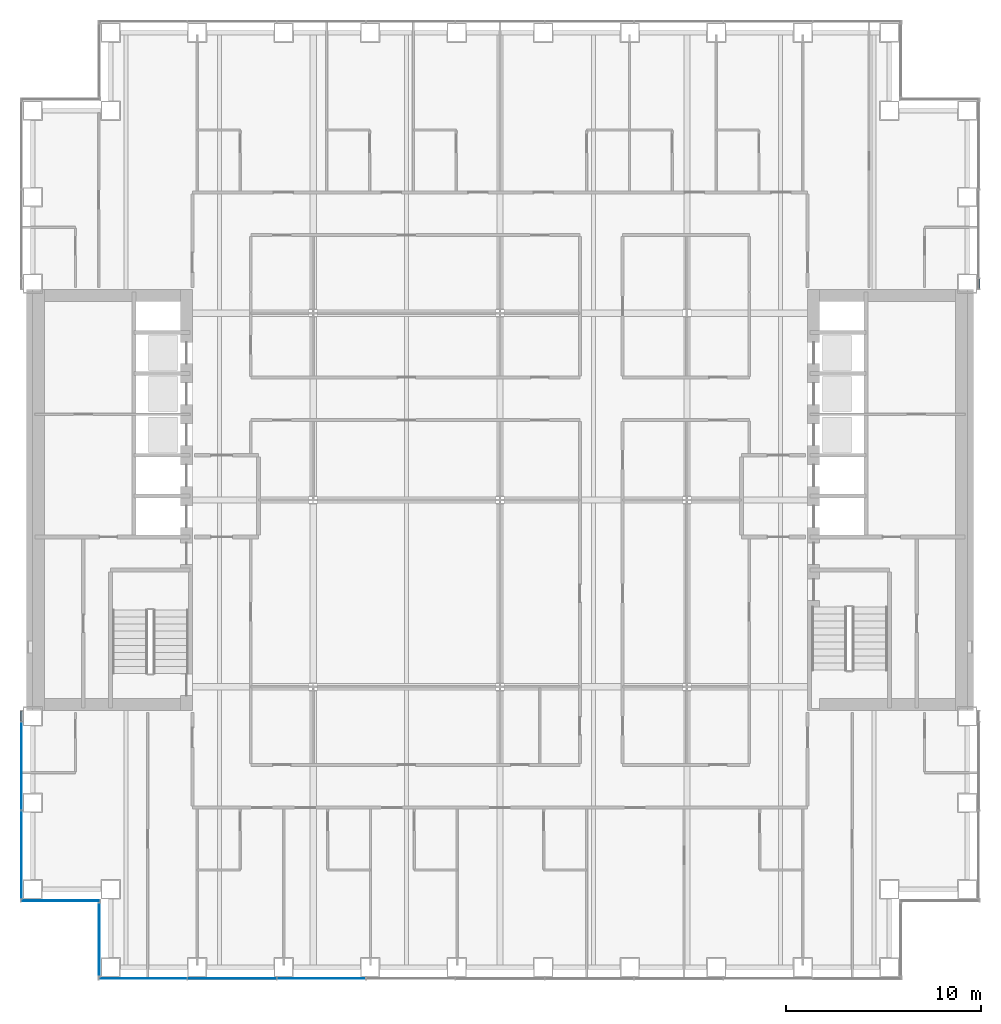
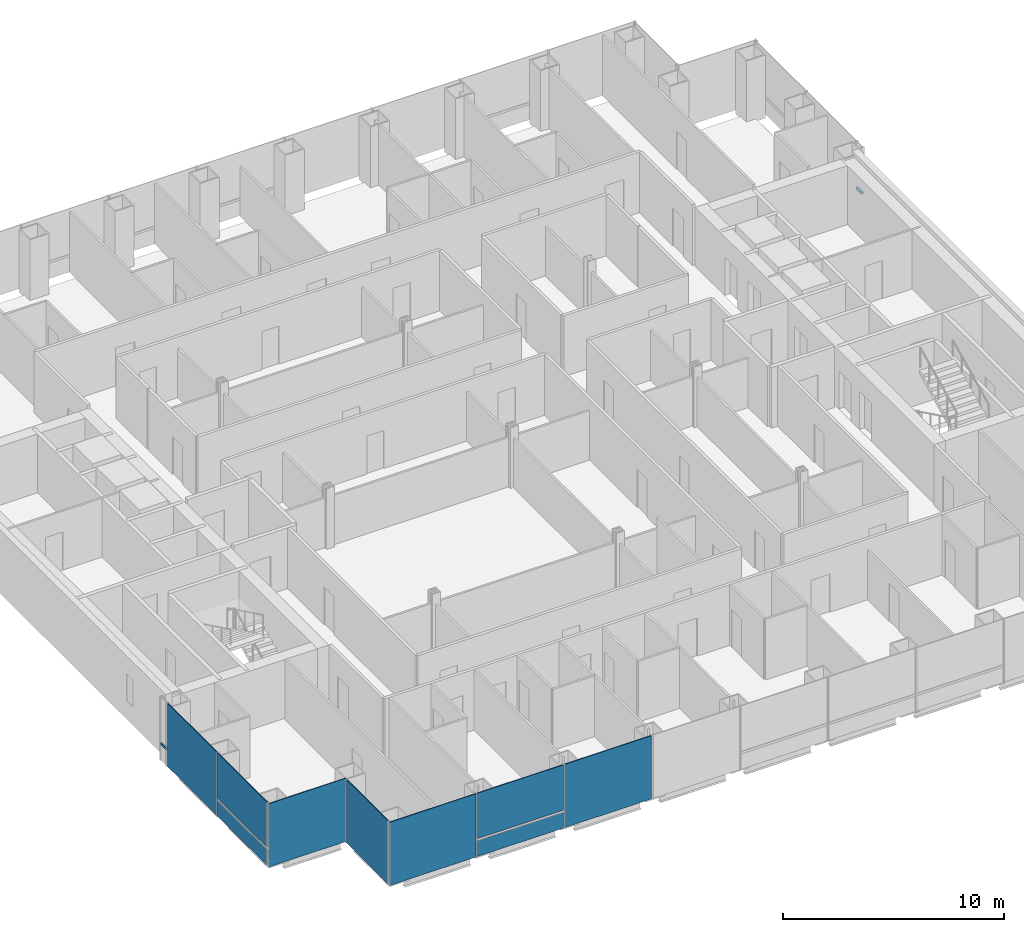
# One storey, part 11 of 23: 9 plates, 2 members, 5 elements without a shape of their own.
"""IFC4 building model written with IfcOpenShell, lengths in metres."""

from ifc_helpers import new_model, si_unit, direction, frame, origin, origin_2d, place, context, subcontext, project, spatial, rectangle, extrude, material, layer, layer_set, material_profile, profile_set, type_object, element, aggregate, save


model = new_model("IFC4")

# Units and contexts
model_context = context("Model", 3, precision=1e-05, world=origin(), true_north=direction((0.0, 1.0)))
body_context = subcontext(model_context, "Body", "Model", "MODEL_VIEW")
ifc_project = project(units=[si_unit("LENGTHUNIT", "METRE"), si_unit("AREAUNIT", "SQUARE_METRE"), si_unit("VOLUMEUNIT", "CUBIC_METRE"), si_unit("PLANEANGLEUNIT", "RADIAN"), si_unit("MASSUNIT", "GRAM", prefix="KILO")], contexts=[model_context])

# Site, building, storey
site_placement = place(None, origin())
site = spatial("IfcSite", under=ifc_project, at=site_placement, CompositionType="ELEMENT")
building_placement = place(site_placement, origin())
building = spatial("IfcBuilding", under=site, at=building_placement, Name="Cobrizo Arcos Hotel Tower", CompositionType="ELEMENT")
storey_placement = place(building_placement, frame((0.0, 0.0, 49.5)))
storey = spatial("IfcBuildingStorey", under=building, at=storey_placement, Name="L10", CompositionType="ELEMENT", Elevation=49.5)

# Curtain wall, member
ifc_material_1 = material(Name="Aluminium 6063-T6 anodised bronze", Category="aluminium")
curtain_wall_type = type_object("IfcCurtainWallType", Name="CW-A guest facade", PredefinedType="NOTDEFINED", material=ifc_material_1)
curtain_wall_1_placement = place(storey_placement, origin())
curtain_wall_1 = element("IfcCurtainWall", 1, at=curtain_wall_1_placement, inside=storey, type_object=curtain_wall_type, Name="CW-A L10 E face", PredefinedType="NOTDEFINED")
ifc_material_profile = material_profile(ifc_material_1, rectangle(XDim=0.10009765625, YDim=0.1201171875, at=origin_2d()), Name="CW-A transom 120x100")
ifc_profile_set = profile_set([ifc_material_profile], Name="Aluminium 6063-T6 anodised bronze")
member_type = type_object("IfcMemberType", Name="CW-A transom 120x100", PredefinedType="USERDEFINED", material=ifc_profile_set)
member_1_placement = place(storey_placement, frame((24.574951171875, 10.860107421875, 0.929931640625), z_axis=(0.0, 1.0, 0.0), x_axis=(-1.0, 0.0, 0.0)))
member_1 = element("IfcMember", 2, at=member_1_placement, type_object=member_type, Name="CW-A transom 489", ObjectType="TRANSOM", PredefinedType="USERDEFINED", context=body_context, shape_type="SweptSolid", body=[
    extrude(rectangle(XDim=0.10009765625, YDim=0.1201171875, at=origin_2d()), origin(), (0.0, 0.0, 1.0), 0.498779296875),
])
aggregate(curtain_wall_1, [member_1])

curtain_wall_2_placement = place(storey_placement, origin())
curtain_wall_2 = element("IfcCurtainWall", 3, at=curtain_wall_2_placement, inside=storey, type_object=curtain_wall_type, Name="CW-A L10 W face", PredefinedType="NOTDEFINED")
member_2_placement = place(storey_placement, frame((-24.574951171875, -10.860107421875, 0.929931640625), z_axis=(0.0, -1.0, 0.0), x_axis=(1.0, 0.0, 0.0)))
member_2 = element("IfcMember", 4, at=member_2_placement, type_object=member_type, Name="CW-A transom 508", ObjectType="TRANSOM", PredefinedType="USERDEFINED", context=body_context, shape_type="SweptSolid", body=[
    extrude(rectangle(XDim=0.10009765625, YDim=0.1201171875, at=origin_2d()), origin(), (0.0, 0.0, 1.0), 0.498779296875),
])

# Curtain wall, plate
curtain_wall_3_placement = place(storey_placement, origin())
curtain_wall_3 = element("IfcCurtainWall", 5, at=curtain_wall_3_placement, inside=storey, type_object=curtain_wall_type, Name="CW-A L10 S face", PredefinedType="NOTDEFINED")
ifc_material_2 = material(Name="Glass clear laminated low-e", Category="glass")
ifc_layer_1 = layer(ifc_material_2, 0.0400390625)
ifc_layer_set_1 = layer_set([ifc_layer_1], Name="CW-A glass panel")
plate_type_1 = type_object("IfcPlateType", Name="CW-A glass panel", PredefinedType="CURTAIN_PANEL", material=ifc_layer_set_1)
plate_1_placement = place(storey_placement, frame((-13.7666015625, -24.574951171875, 0.990234375), z_axis=(0.0, 0.0, 1.0), x_axis=(1.0, 0.0, 0.0)))
plate_1 = element("IfcPlate", 6, at=plate_1_placement, type_object=plate_type_1, Name="CW-A glass panel 476", PredefinedType="CURTAIN_PANEL", context=body_context, shape_type="SweptSolid", body=[
    extrude(rectangle(XDim=4.52880859375, YDim=0.0400390625, at=origin_2d()), origin(), (0.0, 0.0, 1.0), 2.510009765625),
])

# Plate
plate_2_placement = place(storey_placement, frame((-24.574951171875, -18.207275390625, 0.990234375), z_axis=(0.0, 0.0, 1.0), x_axis=(0.0, -1.0, 0.0)))
plate_2 = element("IfcPlate", 7, at=plate_2_placement, type_object=plate_type_1, Name="CW-A glass panel 510", PredefinedType="CURTAIN_PANEL", context=body_context, shape_type="SweptSolid", body=[
    extrude(rectangle(XDim=4.465576171875, YDim=0.0400390625, at=origin_2d()), origin(), (0.0, 0.0, 1.0), 2.510009765625),
])

ifc_material_3 = material(Name="Aluminium composite panel pale metal", Category="aluminium")
ifc_layer_2 = layer(ifc_material_3, 0.0400390625)
ifc_layer_set_2 = layer_set([ifc_layer_2], Name="CW-A spandrel panel")
plate_type_2 = type_object("IfcPlateType", Name="CW-A spandrel panel", PredefinedType="CURTAIN_PANEL", material=ifc_layer_set_2)
plate_3_placement = place(storey_placement, frame((-18.340576171875, -24.574951171875, 0.0), z_axis=(0.0, 0.0, 1.0), x_axis=(1.0, 0.0, 0.0)))
plate_3 = element("IfcPlate", 8, at=plate_3_placement, type_object=plate_type_2, Name="CW-A spandrel panel 475", PredefinedType="CURTAIN_PANEL", context=body_context, shape_type="SweptSolid", body=[
    extrude(rectangle(XDim=4.498779296875, YDim=0.0400390625, at=origin_2d()), origin(), (0.0, 0.0, 1.0), 3.5),
])

plate_4_placement = place(storey_placement, frame((-13.7666015625, -24.574951171875, 0.0), z_axis=(0.0, 0.0, 1.0), x_axis=(1.0, 0.0, 0.0)))
plate_4 = element("IfcPlate", 9, at=plate_4_placement, type_object=plate_type_2, Name="CW-A spandrel panel 476", PredefinedType="CURTAIN_PANEL", context=body_context, shape_type="SweptSolid", body=[
    extrude(rectangle(XDim=4.52880859375, YDim=0.0400390625, at=origin_2d()), origin(), (0.0, 0.0, 1.0), 0.8701171875),
])

plate_5_placement = place(storey_placement, frame((-9.177734375, -24.574951171875, 0.0), z_axis=(0.0, 0.0, 1.0), x_axis=(1.0, 0.0, 0.0)))
plate_5 = element("IfcPlate", 10, at=plate_5_placement, type_object=plate_type_2, Name="CW-A spandrel panel 477", PredefinedType="CURTAIN_PANEL", context=body_context, shape_type="SweptSolid", body=[
    extrude(rectangle(XDim=4.52880859375, YDim=0.0400390625, at=origin_2d()), origin(), (0.0, 0.0, 1.0), 3.5),
])

aggregate(curtain_wall_3, [plate_3, plate_4, plate_1, plate_5])

plate_6_placement = place(storey_placement, frame((-24.574951171875, -13.666748046875, 0.0), z_axis=(0.0, 0.0, 1.0), x_axis=(0.0, -1.0, 0.0)))
plate_6 = element("IfcPlate", 11, at=plate_6_placement, type_object=plate_type_2, Name="CW-A spandrel panel 509", PredefinedType="CURTAIN_PANEL", context=body_context, shape_type="SweptSolid", body=[
    extrude(rectangle(XDim=4.49560546875, YDim=0.0400390625, at=origin_2d()), origin(), (0.0, 0.0, 1.0), 3.5),
])

plate_7_placement = place(storey_placement, frame((-24.574951171875, -18.207275390625, 0.0), z_axis=(0.0, 0.0, 1.0), x_axis=(0.0, -1.0, 0.0)))
plate_7 = element("IfcPlate", 12, at=plate_7_placement, type_object=plate_type_2, Name="CW-A spandrel panel 510", PredefinedType="CURTAIN_PANEL", context=body_context, shape_type="SweptSolid", body=[
    extrude(rectangle(XDim=4.465576171875, YDim=0.0400390625, at=origin_2d()), origin(), (0.0, 0.0, 1.0), 0.8701171875),
])

aggregate(curtain_wall_2, [member_2, plate_6, plate_7, plate_2])

# Curtain wall, plate
curtain_wall_4_placement = place(storey_placement, origin())
curtain_wall_4 = element("IfcCurtainWall", 13, at=curtain_wall_4_placement, inside=storey, type_object=curtain_wall_type, Name="CW-A L10 S face", PredefinedType="NOTDEFINED")
plate_8_placement = place(storey_placement, frame((-22.574951171875, -20.574951171875, 0.0), z_axis=(0.0, 0.0, 1.0), x_axis=(1.0, 0.0, 0.0)))
plate_8 = element("IfcPlate", 14, at=plate_8_placement, type_object=plate_type_2, Name="CW-A spandrel panel 511", PredefinedType="CURTAIN_PANEL", context=body_context, shape_type="SweptSolid", body=[
    extrude(rectangle(XDim=4.030029296875, YDim=0.0400390625, at=origin_2d()), origin(), (0.0, 0.0, 1.0), 3.5),
])
aggregate(curtain_wall_4, [plate_8])

curtain_wall_5_placement = place(storey_placement, origin())
curtain_wall_5 = element("IfcCurtainWall", 15, at=curtain_wall_5_placement, inside=storey, type_object=curtain_wall_type, Name="CW-A L10 W face", PredefinedType="NOTDEFINED")
plate_9_placement = place(storey_placement, frame((-20.574951171875, -22.574951171875, 0.0), z_axis=(0.0, 0.0, 1.0), x_axis=(0.0, -1.0, 0.0)))
plate_9 = element("IfcPlate", 16, at=plate_9_placement, type_object=plate_type_2, Name="CW-A spandrel panel 512", PredefinedType="CURTAIN_PANEL", context=body_context, shape_type="SweptSolid", body=[
    extrude(rectangle(XDim=3.72998046875, YDim=0.0400390625, at=origin_2d()), origin(), (0.0, 0.0, 1.0), 3.5),
])
aggregate(curtain_wall_5, [plate_9])

save(model, "model.ifc")
